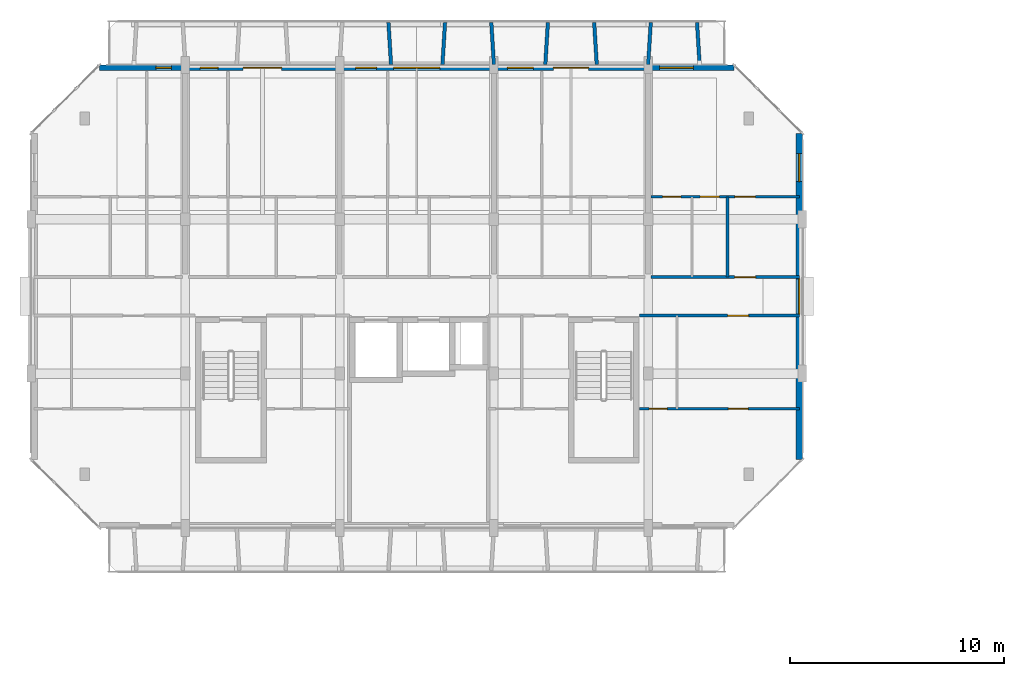
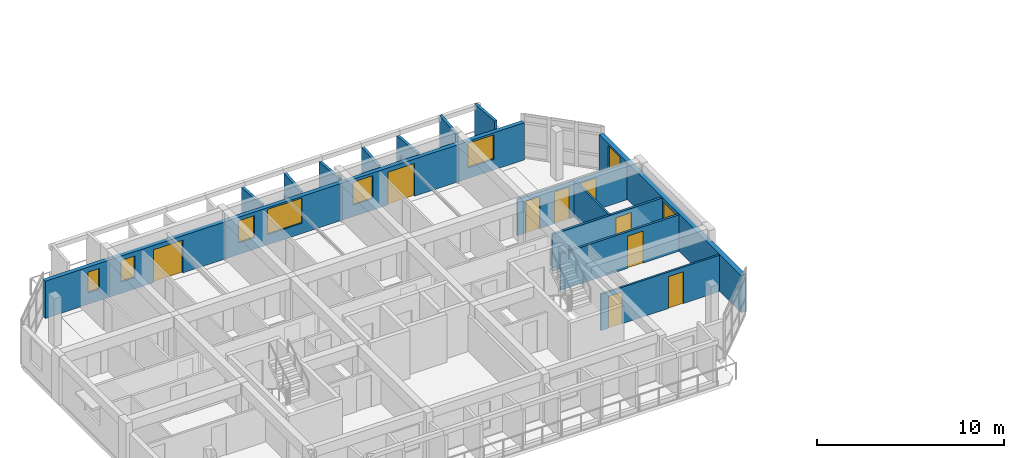
# One storey, part 21 of 44: 14 walls, 9 doors, 8 windows, 17 openings.
"""IFC4 building model written with IfcOpenShell, lengths in metres."""

from ifc_helpers import new_model, si_unit, direction, frame, frame_2d, origin, place, context, subcontext, project, spatial, rectangle, extrude, material, layer, layer_set, type_object, element, fill, save


model = new_model("IFC4")

# Units and contexts
model_context = context("Model", 3, precision=1e-05, world=origin(), true_north=direction((0.0, 1.0)))
body_context = subcontext(model_context, "Body", "Model", "MODEL_VIEW")
ifc_project = project(units=[si_unit("LENGTHUNIT", "METRE"), si_unit("AREAUNIT", "SQUARE_METRE"), si_unit("VOLUMEUNIT", "CUBIC_METRE"), si_unit("PLANEANGLEUNIT", "RADIAN"), si_unit("MASSUNIT", "GRAM", prefix="KILO")], contexts=[model_context])

# Site, building, storey
site_placement = place(None, origin())
site = spatial("IfcSite", under=ifc_project, at=site_placement, CompositionType="ELEMENT")
building_placement = place(site_placement, origin())
building = spatial("IfcBuilding", under=site, at=building_placement, Name="Ochrevale Crest", CompositionType="ELEMENT")
storey_placement = place(building_placement, frame((0.0, 0.0, 21.300048828125)))
storey = spatial("IfcBuildingStorey", under=building, at=storey_placement, Name="L06", CompositionType="ELEMENT", Elevation=21.300048828125)

# Wall, opening, door
ifc_material_1 = material(Name="Gypsum plasterboard", Category="gypsum")
ifc_layer_1 = layer(ifc_material_1, 0.139892578125)
ifc_layer_set_1 = layer_set([ifc_layer_1], Name="Gypsum plasterboard")
wall_type_1 = type_object("IfcWallType", Name="WL-COR-140", PredefinedType="PARTITIONING", material=ifc_layer_set_1)
wall_1_placement = place(storey_placement, frame((28.93994140625, 83.699951171875, 0.0), z_axis=(0.0, 0.0, 1.0), x_axis=(1.0, 0.0, 0.0)))
wall_1 = element("IfcWall", 1, at=wall_1_placement, inside=storey, type_object=wall_type_1, Name="Apartment B-L06-U5 corridor wall", PredefinedType="PARTITIONING", context=body_context, shape_type="SweptSolid", body=[
    extrude(rectangle(XDim=6.920166015625, YDim=0.139892578125, at=frame_2d((3.4599609375, 0.0))), origin(), (0.0, 0.0, 1.0), 2.3798828125),
])
opening_1_placement = place(wall_1_placement, frame((4.875, 0.0, 0.0), z_axis=(0.0, 0.0, 1.0), x_axis=(-1.0, 0.0, 0.0)))
opening_1 = element("IfcOpeningElement", 2, at=opening_1_placement, cuts=wall_1, Name="Opening FD01", PredefinedType="OPENING", context=body_context, shape_type="SweptSolid", body=[
    extrude(rectangle(XDim=0.97998046875, YDim=2.10009765625, at=frame_2d((0.489990234375, 1.050048828125))), frame((0.0, 0.080078125, 0.0), z_axis=(0.0, -1.0, 0.0), x_axis=(1.0, 0.0, 0.0)), (0.0, 0.0, 1.0), 0.159912109375),
])
ifc_material_2 = material(Name="Solid-core FSC hardwood", Category="wood")
door_type_1 = type_object("IfcDoorType", Name="DR-APT-950", OperationType="NOTDEFINED", PredefinedType="DOOR", material=ifc_material_2)
door_1_placement = place(opening_1_placement, origin())
door_1 = element("IfcDoor", 3, at=door_1_placement, inside=storey, type_object=door_type_1, Name="Apartment B-L06-U5 entrance door", OperationType="SINGLE_SWING_RIGHT", OverallHeight=2.10009765625, OverallWidth=0.97998046875, PredefinedType="DOOR", context=body_context, shape_type="SweptSolid", body=[
    extrude(rectangle(XDim=0.97998046875, YDim=2.10009765625, at=frame_2d((0.489990234375, 1.050048828125))), frame((0.0, 0.02490234375, 0.0), z_axis=(0.0, -1.0, 0.0), x_axis=(1.0, 0.0, 0.0)), (0.0, 0.0, 1.0), 0.050048828125),
])
fill(opening_1, door_1)

wall_2_placement = place(storey_placement, frame((28.389892578125, 81.89990234375, 0.0), z_axis=(0.0, 0.0, 1.0), x_axis=(1.0, 0.0, 0.0)))
wall_2 = element("IfcWall", 4, at=wall_2_placement, inside=storey, type_object=wall_type_1, Name="Suite B-L06-CE corridor wall", PredefinedType="PARTITIONING", context=body_context, shape_type="SweptSolid", body=[
    extrude(rectangle(XDim=7.47021484375, YDim=0.139892578125, at=frame_2d((3.735107421875, 0.0))), origin(), (0.0, 0.0, 1.0), 2.3798828125),
])
opening_2_placement = place(wall_2_placement, frame((4.1201171875, 0.0, 0.0)))
opening_2 = element("IfcOpeningElement", 5, at=opening_2_placement, cuts=wall_2, Name="Opening FD01", PredefinedType="OPENING", context=body_context, shape_type="SweptSolid", body=[
    extrude(rectangle(XDim=0.97998046875, YDim=2.10009765625, at=frame_2d((0.489990234375, 1.050048828125))), frame((0.0, 0.080078125, 0.0), z_axis=(0.0, -1.0, 0.0), x_axis=(1.0, 0.0, 0.0)), (0.0, 0.0, 1.0), 0.159912109375),
])
door_2_placement = place(opening_2_placement, origin())
door_2 = element("IfcDoor", 6, at=door_2_placement, inside=storey, type_object=door_type_1, Name="Suite B-L06-CE entrance door", OperationType="SINGLE_SWING_LEFT", OverallHeight=2.10009765625, OverallWidth=0.97998046875, PredefinedType="DOOR", context=body_context, shape_type="SweptSolid", body=[
    extrude(rectangle(XDim=0.97998046875, YDim=2.10009765625, at=frame_2d((0.489990234375, 1.050048828125))), frame((0.0, 0.02490234375, 0.0), z_axis=(0.0, -1.0, 0.0), x_axis=(1.0, 0.0, 0.0)), (0.0, 0.0, 1.0), 0.050048828125),
])
fill(opening_2, door_2)

# Wall, openings, windows
ifc_material_3 = material(Name="Clay face brickwork", Category="masonry")
ifc_layer_2 = layer(ifc_material_3, 0.2900390625)
ifc_layer_set_2 = layer_set([ifc_layer_2], Name="Clay face brickwork")
wall_type_2 = type_object("IfcWallType", Name="WL-EXT-BRICK-290", PredefinedType="SOLIDWALL", material=ifc_layer_set_2)
wall_3_placement = place(storey_placement, frame((35.85498046875, 75.199951171875, 0.0), z_axis=(0.0, 0.0, 1.0), x_axis=(0.0, 1.0, 0.0)))
wall_3 = element("IfcWall", 7, at=wall_3_placement, inside=storey, type_object=wall_type_2, Name="Block B L06 external facade wall E3", PredefinedType="SOLIDWALL", context=body_context, shape_type="SweptSolid", body=[
    extrude(rectangle(XDim=15.199951171875, YDim=0.2900390625, at=frame_2d((7.60009765625, 0.0))), origin(), (0.0, 0.0, 1.0), 2.429931640625),
])
opening_3_placement = place(wall_3_placement, frame((6.77490234375, 0.0, 1.050048828125)))
opening_3 = element("IfcOpeningElement", 8, at=opening_3_placement, cuts=wall_3, Name="Opening W19", PredefinedType="OPENING", context=body_context, shape_type="SweptSolid", body=[
    extrude(rectangle(XDim=1.64990234375, YDim=1.14990234375, at=frame_2d((0.824951171875, 0.574951171875))), frame((0.0, 0.155029296875, 0.0), z_axis=(0.0, -1.0, 0.0), x_axis=(1.0, 0.0, 0.0)), (0.0, 0.0, 1.0), 0.31005859375),
])
opening_4_placement = place(wall_3_placement, frame((12.9599609375, 0.0, 0.75)))
opening_4 = element("IfcOpeningElement", 9, at=opening_4_placement, cuts=wall_3, Name="Opening W30", PredefinedType="OPENING", context=body_context, shape_type="SweptSolid", body=[
    extrude(rectangle(XDim=1.300048828125, YDim=1.550048828125, at=frame_2d((0.64990234375, 0.77490234375))), frame((0.0, 0.155029296875, 0.0), z_axis=(0.0, -1.0, 0.0), x_axis=(1.0, 0.0, 0.0)), (0.0, 0.0, 1.0), 0.31005859375),
])
ifc_material_4 = material(Name="Anodised aluminium 6063-T5 and low-E double glazing", Category="aluminium")
window_type_1 = type_object("IfcWindowType", Name="WIN-W19", PartitioningType="SINGLE_PANEL", PredefinedType="WINDOW", material=ifc_material_4)
window_1_placement = place(opening_3_placement, origin())
window_1 = element("IfcWindow", 10, at=window_1_placement, inside=storey, type_object=window_type_1, Name="Block B L06 corridor end daylight window E", OverallHeight=1.14990234375, OverallWidth=1.64990234375, PartitioningType="SINGLE_PANEL", PredefinedType="WINDOW", context=body_context, shape_type="SweptSolid", body=[
    extrude(rectangle(XDim=1.64990234375, YDim=1.14990234375, at=frame_2d((0.824951171875, 0.574951171875))), frame((0.0, 0.030029296875, 0.0), z_axis=(0.0, -1.0, 0.0), x_axis=(1.0, 0.0, 0.0)), (0.0, 0.0, 1.0), 0.06005859375),
])
fill(opening_3, window_1)
window_type_2 = type_object("IfcWindowType", Name="WIN-W30", PartitioningType="SINGLE_PANEL", PredefinedType="WINDOW", material=ifc_material_4)
window_2_placement = place(opening_4_placement, origin())
window_2 = element("IfcWindow", 11, at=window_2_placement, inside=storey, type_object=window_type_2, Name="Block B L06 side suite window E", OverallHeight=1.550048828125, OverallWidth=1.300048828125, PartitioningType="SINGLE_PANEL", PredefinedType="WINDOW", context=body_context, shape_type="SweptSolid", body=[
    extrude(rectangle(XDim=1.300048828125, YDim=1.550048828125, at=frame_2d((0.64990234375, 0.77490234375))), frame((0.0, 0.030029296875, 0.0), z_axis=(0.0, -1.0, 0.0), x_axis=(1.0, 0.0, 0.0)), (0.0, 0.0, 1.0), 0.06005859375),
])
fill(opening_4, window_2)

# Wall, openings, doors, windows
ifc_material_5 = material(Name="Precast concrete C40/50", Category="concrete")
ifc_layer_3 = layer(ifc_material_5, 0.25)
ifc_layer_set_3 = layer_set([ifc_layer_3], Name="Precast concrete C40/50")
wall_type_3 = type_object("IfcWallType", Name="WL-EXT-GOLD-250", PredefinedType="SOLIDWALL", material=ifc_layer_set_3)
wall_4_placement = place(storey_placement, frame((32.800048828125, 93.47509765625, 0.0), z_axis=(0.0, 0.0, 1.0), x_axis=(-1.0, 0.0, 0.0)))
wall_4 = element("IfcWall", 12, at=wall_4_placement, inside=storey, type_object=wall_type_3, Name="Block B L06 external facade wall E5", PredefinedType="SOLIDWALL", context=body_context, shape_type="SweptSolid", body=[
    extrude(rectangle(XDim=29.60009765625, YDim=0.25, at=frame_2d((14.800048828125, 0.0))), origin(), (0.0, 0.0, 1.0), 2.429931640625),
])
opening_5_placement = place(wall_4_placement, frame((22.900146484375, 0.0, 0.0), z_axis=(0.0, 0.0, 1.0), x_axis=(-1.0, 0.0, 0.0)))
opening_5 = element("IfcOpeningElement", 13, at=opening_5_placement, cuts=wall_4, Name="Opening BD03", PredefinedType="OPENING", context=body_context, shape_type="SweptSolid", body=[
    extrude(rectangle(XDim=1.800048828125, YDim=2.14990234375, at=frame_2d((0.89990234375, 1.074951171875))), frame((0.0, 0.135009765625, 0.0), z_axis=(0.0, -1.0, 0.0), x_axis=(1.0, 0.0, 0.0)), (0.0, 0.0, 1.0), 0.27001953125),
])
opening_6_placement = place(wall_4_placement, frame((8.4248046875, 0.0, 0.0), z_axis=(0.0, 0.0, 1.0), x_axis=(-1.0, 0.0, 0.0)))
opening_6 = element("IfcOpeningElement", 14, at=opening_6_placement, cuts=wall_4, Name="Opening BD02", PredefinedType="OPENING", context=body_context, shape_type="SweptSolid", body=[
    extrude(rectangle(XDim=1.64990234375, YDim=2.14990234375, at=frame_2d((0.824951171875, 1.074951171875))), frame((0.0, 0.135009765625, 0.0), z_axis=(0.0, -1.0, 0.0), x_axis=(1.0, 0.0, 0.0)), (0.0, 0.0, 1.0), 0.27001953125),
])
opening_7_placement = place(wall_4_placement, frame((26.25, 0.0, 0.75)))
opening_7 = element("IfcOpeningElement", 15, at=opening_7_placement, cuts=wall_4, Name="Opening W02", PredefinedType="OPENING", context=body_context, shape_type="SweptSolid", body=[
    extrude(rectangle(XDim=0.719970703125, YDim=1.35009765625, at=frame_2d((0.35986328125, 0.675048828125))), frame((0.0, 0.135009765625, 0.0), z_axis=(0.0, -1.0, 0.0), x_axis=(1.0, 0.0, 0.0)), (0.0, 0.0, 1.0), 0.27001953125),
])
opening_8_placement = place(wall_4_placement, frame((24.06494140625, 0.0, 0.75)))
opening_8 = element("IfcOpeningElement", 16, at=opening_8_placement, cuts=wall_4, Name="Opening W03", PredefinedType="OPENING", context=body_context, shape_type="SweptSolid", body=[
    extrude(rectangle(XDim=0.85009765625, YDim=1.39990234375, at=frame_2d((0.425048828125, 0.699951171875))), frame((0.0, 0.135009765625, 0.0), z_axis=(0.0, -1.0, 0.0), x_axis=(1.0, 0.0, 0.0)), (0.0, 0.0, 1.0), 0.27001953125),
])
opening_9_placement = place(wall_4_placement, frame((16.675048828125, 0.0, 0.75)))
opening_9 = element("IfcOpeningElement", 17, at=opening_9_placement, cuts=wall_4, Name="Opening W04", PredefinedType="OPENING", context=body_context, shape_type="SweptSolid", body=[
    extrude(rectangle(XDim=0.97998046875, YDim=1.449951171875, at=frame_2d((0.489990234375, 0.72509765625))), frame((0.0, 0.135009765625, 0.0), z_axis=(0.0, -1.0, 0.0), x_axis=(1.0, 0.0, 0.0)), (0.0, 0.0, 1.0), 0.27001953125),
])
opening_10_placement = place(wall_4_placement, frame((13.72509765625, 0.0, 0.669921875)))
opening_10 = element("IfcOpeningElement", 18, at=opening_10_placement, cuts=wall_4, Name="Opening W13", PredefinedType="OPENING", context=body_context, shape_type="SweptSolid", body=[
    extrude(rectangle(XDim=2.14990234375, YDim=1.64990234375, at=frame_2d((1.074951171875, 0.824951171875))), frame((0.0, 0.135009765625, 0.0), z_axis=(0.0, -1.0, 0.0), x_axis=(1.0, 0.0, 0.0)), (0.0, 0.0, 1.0), 0.27001953125),
])
opening_11_placement = place(wall_4_placement, frame((9.35498046875, 0.0, 0.75)))
opening_11 = element("IfcOpeningElement", 19, at=opening_11_placement, cuts=wall_4, Name="Opening W06", PredefinedType="OPENING", context=body_context, shape_type="SweptSolid", body=[
    extrude(rectangle(XDim=1.219970703125, YDim=1.5, at=frame_2d((0.60986328125, 0.75))), frame((0.0, 0.135009765625, 0.0), z_axis=(0.0, -1.0, 0.0), x_axis=(1.0, 0.0, 0.0)), (0.0, 0.0, 1.0), 0.27001953125),
])
opening_12_placement = place(wall_4_placement, frame((1.889892578125, 0.0, 0.699951171875)))
opening_12 = element("IfcOpeningElement", 20, at=opening_12_placement, cuts=wall_4, Name="Opening W09", PredefinedType="OPENING", context=body_context, shape_type="SweptSolid", body=[
    extrude(rectangle(XDim=1.580078125, YDim=1.60009765625, at=frame_2d((0.7900390625, 0.800048828125))), frame((0.0, 0.135009765625, 0.0), z_axis=(0.0, -1.0, 0.0), x_axis=(1.0, 0.0, 0.0)), (0.0, 0.0, 1.0), 0.27001953125),
])
ifc_material_6 = material(Name="Anodised aluminium 6063-T5 and toughened glass", Category="aluminium")
door_type_2 = type_object("IfcDoorType", Name="DR-BAL-1650", OperationType="NOTDEFINED", PredefinedType="DOOR", material=ifc_material_6)
door_3_placement = place(opening_6_placement, origin())
door_3 = element("IfcDoor", 21, at=door_3_placement, inside=storey, type_object=door_type_2, Name="Block B L06 balcony door N4", OperationType="SINGLE_SWING_LEFT", OverallHeight=2.14990234375, OverallWidth=1.64990234375, PredefinedType="DOOR", context=body_context, shape_type="SweptSolid", body=[
    extrude(rectangle(XDim=1.64990234375, YDim=2.14990234375, at=frame_2d((0.824951171875, 1.074951171875))), frame((0.0, 0.02490234375, 0.0), z_axis=(0.0, -1.0, 0.0), x_axis=(1.0, 0.0, 0.0)), (0.0, 0.0, 1.0), 0.050048828125),
])
fill(opening_6, door_3)
door_type_3 = type_object("IfcDoorType", Name="DR-BAL-1800", OperationType="NOTDEFINED", PredefinedType="DOOR", material=ifc_material_6)
door_4_placement = place(opening_5_placement, origin())
door_4 = element("IfcDoor", 22, at=door_4_placement, inside=storey, type_object=door_type_3, Name="Block B L06 balcony door N2", OperationType="SINGLE_SWING_RIGHT", OverallHeight=2.14990234375, OverallWidth=1.800048828125, PredefinedType="DOOR", context=body_context, shape_type="SweptSolid", body=[
    extrude(rectangle(XDim=1.800048828125, YDim=2.14990234375, at=frame_2d((0.89990234375, 1.074951171875))), frame((0.0, 0.02490234375, 0.0), z_axis=(0.0, -1.0, 0.0), x_axis=(1.0, 0.0, 0.0)), (0.0, 0.0, 1.0), 0.050048828125),
])
fill(opening_5, door_4)
window_type_3 = type_object("IfcWindowType", Name="WIN-W02", PartitioningType="SINGLE_PANEL", PredefinedType="WINDOW", material=ifc_material_4)
window_3_placement = place(opening_7_placement, origin())
window_3 = element("IfcWindow", 23, at=window_3_placement, inside=storey, type_object=window_type_3, Name="Block B L06 Apartment B-L06-U1 Two Bedroom Living Room window", OverallHeight=1.35009765625, OverallWidth=0.719970703125, PartitioningType="SINGLE_PANEL", PredefinedType="WINDOW", context=body_context, shape_type="SweptSolid", body=[
    extrude(rectangle(XDim=0.719970703125, YDim=1.35009765625, at=frame_2d((0.35986328125, 0.675048828125))), frame((0.0, 0.030029296875, 0.0), z_axis=(0.0, -1.0, 0.0), x_axis=(1.0, 0.0, 0.0)), (0.0, 0.0, 1.0), 0.06005859375),
])
fill(opening_7, window_3)
window_type_4 = type_object("IfcWindowType", Name="WIN-W03", PartitioningType="SINGLE_PANEL", PredefinedType="WINDOW", material=ifc_material_4)
window_4_placement = place(opening_8_placement, origin())
window_4 = element("IfcWindow", 24, at=window_4_placement, inside=storey, type_object=window_type_4, Name="Block B L06 Apartment B-L06-U2 Master Bedroom window", OverallHeight=1.39990234375, OverallWidth=0.85009765625, PartitioningType="SINGLE_PANEL", PredefinedType="WINDOW", context=body_context, shape_type="SweptSolid", body=[
    extrude(rectangle(XDim=0.85009765625, YDim=1.39990234375, at=frame_2d((0.425048828125, 0.699951171875))), frame((0.0, 0.030029296875, 0.0), z_axis=(0.0, -1.0, 0.0), x_axis=(1.0, 0.0, 0.0)), (0.0, 0.0, 1.0), 0.06005859375),
])
fill(opening_8, window_4)
window_type_5 = type_object("IfcWindowType", Name="WIN-W04", PartitioningType="SINGLE_PANEL", PredefinedType="WINDOW", material=ifc_material_4)
window_5_placement = place(opening_9_placement, origin())
window_5 = element("IfcWindow", 25, at=window_5_placement, inside=storey, type_object=window_type_5, Name="Block B L06 Apartment B-L06-U3 Master Bedroom window", OverallHeight=1.449951171875, OverallWidth=0.97998046875, PartitioningType="SINGLE_PANEL", PredefinedType="WINDOW", context=body_context, shape_type="SweptSolid", body=[
    extrude(rectangle(XDim=0.97998046875, YDim=1.449951171875, at=frame_2d((0.489990234375, 0.72509765625))), frame((0.0, 0.030029296875, 0.0), z_axis=(0.0, -1.0, 0.0), x_axis=(1.0, 0.0, 0.0)), (0.0, 0.0, 1.0), 0.06005859375),
])
fill(opening_9, window_5)
window_type_6 = type_object("IfcWindowType", Name="WIN-W06", PartitioningType="SINGLE_PANEL", PredefinedType="WINDOW", material=ifc_material_4)
window_6_placement = place(opening_11_placement, origin())
window_6 = element("IfcWindow", 26, at=window_6_placement, inside=storey, type_object=window_type_6, Name="Block B L06 Apartment B-L06-U4 Twin Bedroom window", OverallHeight=1.5, OverallWidth=1.219970703125, PartitioningType="SINGLE_PANEL", PredefinedType="WINDOW", context=body_context, shape_type="SweptSolid", body=[
    extrude(rectangle(XDim=1.219970703125, YDim=1.5, at=frame_2d((0.60986328125, 0.75))), frame((0.0, 0.030029296875, 0.0), z_axis=(0.0, -1.0, 0.0), x_axis=(1.0, 0.0, 0.0)), (0.0, 0.0, 1.0), 0.06005859375),
])
fill(opening_11, window_6)
window_type_7 = type_object("IfcWindowType", Name="WIN-W09", PartitioningType="SINGLE_PANEL", PredefinedType="WINDOW", material=ifc_material_4)
window_7_placement = place(opening_12_placement, origin())
window_7 = element("IfcWindow", 27, at=window_7_placement, inside=storey, type_object=window_type_7, Name="Block B L06 Studio B-L06-U5 Living Room window", OverallHeight=1.60009765625, OverallWidth=1.580078125, PartitioningType="SINGLE_PANEL", PredefinedType="WINDOW", context=body_context, shape_type="SweptSolid", body=[
    extrude(rectangle(XDim=1.580078125, YDim=1.60009765625, at=frame_2d((0.7900390625, 0.800048828125))), frame((0.0, 0.030029296875, 0.0), z_axis=(0.0, -1.0, 0.0), x_axis=(1.0, 0.0, 0.0)), (0.0, 0.0, 1.0), 0.06005859375),
])
fill(opening_12, window_7)
window_type_8 = type_object("IfcWindowType", Name="WIN-W13", PartitioningType="SINGLE_PANEL", PredefinedType="WINDOW", material=ifc_material_4)
window_8_placement = place(opening_10_placement, origin())
window_8 = element("IfcWindow", 28, at=window_8_placement, inside=storey, type_object=window_type_8, Name="Block B L06 Apartment B-L06-U3 One Bedroom Living Room window", OverallHeight=1.64990234375, OverallWidth=2.14990234375, PartitioningType="SINGLE_PANEL", PredefinedType="WINDOW", context=body_context, shape_type="SweptSolid", body=[
    extrude(rectangle(XDim=2.14990234375, YDim=1.64990234375, at=frame_2d((1.074951171875, 0.824951171875))), frame((0.0, 0.030029296875, 0.0), z_axis=(0.0, -1.0, 0.0), x_axis=(1.0, 0.0, 0.0)), (0.0, 0.0, 1.0), 0.06005859375),
])
fill(opening_10, window_8)

# Walls
ifc_layer_4 = layer(ifc_material_5, 0.1650390625)
ifc_layer_set_4 = layer_set([ifc_layer_4], Name="Precast concrete C40/50")
wall_type_4 = type_object("IfcWallType", Name="WL-HC-CHEEK-165", PredefinedType="ELEMENTEDWALL", material=ifc_layer_set_4)
for number, where, z_axis, x_axis, name in (
    (29, (16.800048828125, 93.6201171875, 0.0), (0.0, 0.0, 1.0), (-0.061170732449, 0.998127317276, 0.0), "Block B L06 N precast honeycomb cheek 6"),
    (30, (19.199951171875, 93.6201171875, 0.0), (0.0, 0.0, 1.0), (0.061170732449, 0.998127317276, 0.0), "Block B L06 N precast honeycomb cheek 7"),
    (31, (21.60009765625, 93.6201171875, 0.0), (0.0, 0.0, 1.0), (-0.061170732449, 0.998127317276, 0.0), "Block B L06 N precast honeycomb cheek 8"),
):
    element("IfcWall", number, at=place(storey_placement, frame(where, z_axis=z_axis, x_axis=x_axis)), inside=storey, type_object=wall_type_4, Name=name, PredefinedType="ELEMENTEDWALL", context=body_context, shape_type="SweptSolid", body=[
        extrude(rectangle(XDim=1.963623046875, YDim=0.1650390625, at=frame_2d((0.98193359375, 0.0))), origin(), (0.0, 0.0, 1.0), 2.530029296875),
    ])
for number, where, z_axis, x_axis, name in (
    (32, (24.0, 93.6201171875, 0.0), (0.0, 0.0, 1.0), (0.061170732449, 0.998127317276, 0.0), "Block B L06 N precast honeycomb cheek 9"),
    (33, (26.39990234375, 93.6201171875, 0.0), (0.0, 0.0, 1.0), (-0.061046865508, 0.998134900808, 0.0), "Block B L06 N precast honeycomb cheek 10"),
):
    element("IfcWall", number, at=place(storey_placement, frame(where, z_axis=z_axis, x_axis=x_axis)), inside=storey, type_object=wall_type_4, Name=name, PredefinedType="ELEMENTEDWALL", context=body_context, shape_type="SweptSolid", body=[
        extrude(rectangle(XDim=1.963623046875, YDim=0.1650390625, at=frame_2d((0.98193359375, 0.0))), origin(), (0.0, 0.0, 1.0), 2.550048828125),
    ])
for number, where, z_axis, x_axis, name in (
    (34, (28.800048828125, 93.6201171875, 0.0), (0.0, 0.0, 1.0), (0.061046865508, 0.998134900808, 0.0), "Block B L06 N precast honeycomb cheek 11"),
    (35, (31.199951171875, 93.6201171875, 0.0), (0.0, 0.0, 1.0), (-0.061046865508, 0.998134900808, 0.0), "Block B L06 N precast honeycomb cheek 12"),
):
    element("IfcWall", number, at=place(storey_placement, frame(where, z_axis=z_axis, x_axis=x_axis)), inside=storey, type_object=wall_type_4, Name=name, PredefinedType="ELEMENTEDWALL", context=body_context, shape_type="SweptSolid", body=[
        extrude(rectangle(XDim=1.963623046875, YDim=0.1650390625, at=frame_2d((0.98193359375, 0.0))), origin(), (0.0, 0.0, 1.0), 2.949951171875),
    ])
ifc_layer_5 = layer(ifc_material_1, 0.1201171875)
ifc_layer_set_5 = layer_set([ifc_layer_5], Name="Gypsum plasterboard")
wall_type_5 = type_object("IfcWallType", Name="WL-PART-120", PredefinedType="PARTITIONING", material=ifc_layer_set_5)
wall_5_placement = place(storey_placement, frame((32.5, 83.699951171875, 0.0), z_axis=(0.0, 0.0, 1.0), x_axis=(0.0, 1.0, 0.0)))
element("IfcWall", 36, at=wall_5_placement, inside=storey, type_object=wall_type_5, Name="Apartment B-L06-U5 kitchen-foyer wall", PredefinedType="PARTITIONING", context=body_context, shape_type="SweptSolid", body=[
    extrude(rectangle(XDim=3.75, YDim=0.1201171875, at=frame_2d((1.875, 0.0))), origin(), (0.0, 0.0, 1.0), 2.3798828125),
])

# Wall, openings, doors
wall_6_placement = place(storey_placement, frame((28.93994140625, 87.449951171875, 0.0), z_axis=(0.0, 0.0, 1.0), x_axis=(1.0, 0.0, 0.0)))
wall_6 = element("IfcWall", 37, at=wall_6_placement, inside=storey, type_object=wall_type_5, Name="Apartment B-L06-U5 central partition", PredefinedType="PARTITIONING", context=body_context, shape_type="SweptSolid", body=[
    extrude(rectangle(XDim=6.920166015625, YDim=0.1201171875, at=frame_2d((3.4599609375, 0.0))), origin(), (0.0, 0.0, 1.0), 2.3798828125),
])
opening_13_placement = place(wall_6_placement, frame((0.530029296875, 0.0, 0.0)))
opening_13 = element("IfcOpeningElement", 38, at=opening_13_placement, cuts=wall_6, Name="Opening ID01", PredefinedType="OPENING", context=body_context, shape_type="SweptSolid", body=[
    extrude(rectangle(XDim=0.85009765625, YDim=2.080078125, at=frame_2d((0.425048828125, 1.0400390625))), frame((0.0, 0.070068359375, 0.0), z_axis=(0.0, -1.0, 0.0), x_axis=(1.0, 0.0, 0.0)), (0.0, 0.0, 1.0), 0.14013671875),
])
opening_14_placement = place(wall_6_placement, frame((3.184814453125, 0.0, 0.0), z_axis=(0.0, 0.0, 1.0), x_axis=(-1.0, 0.0, 0.0)))
opening_14 = element("IfcOpeningElement", 39, at=opening_14_placement, cuts=wall_6, Name="Opening ID02", PredefinedType="OPENING", context=body_context, shape_type="SweptSolid", body=[
    extrude(rectangle(XDim=0.89990234375, YDim=2.080078125, at=frame_2d((0.449951171875, 1.0400390625))), frame((0.0, 0.070068359375, 0.0), z_axis=(0.0, -1.0, 0.0), x_axis=(1.0, 0.0, 0.0)), (0.0, 0.0, 1.0), 0.14013671875),
])
opening_15_placement = place(wall_6_placement, frame((3.909912109375, 0.0, 0.0)))
opening_15 = element("IfcOpeningElement", 40, at=opening_15_placement, cuts=wall_6, Name="Opening ID06", PredefinedType="OPENING", context=body_context, shape_type="SweptSolid", body=[
    extrude(rectangle(XDim=0.949951171875, YDim=2.080078125, at=frame_2d((0.47509765625, 1.0400390625))), frame((0.0, 0.070068359375, 0.0), z_axis=(0.0, -1.0, 0.0), x_axis=(1.0, 0.0, 0.0)), (0.0, 0.0, 1.0), 0.14013671875),
])
door_type_4 = type_object("IfcDoorType", Name="DR-INT-900", OperationType="NOTDEFINED", PredefinedType="DOOR", material=ifc_material_2)
door_5_placement = place(opening_14_placement, origin())
door_5 = element("IfcDoor", 41, at=door_5_placement, inside=storey, type_object=door_type_4, Name="Apartment B-L06-U5 Kitchen door", OperationType="SINGLE_SWING_RIGHT", OverallHeight=2.080078125, OverallWidth=0.89990234375, PredefinedType="DOOR", context=body_context, shape_type="SweptSolid", body=[
    extrude(rectangle(XDim=0.89990234375, YDim=2.080078125, at=frame_2d((0.449951171875, 1.0400390625))), frame((0.0, 0.02490234375, 0.0), z_axis=(0.0, -1.0, 0.0), x_axis=(1.0, 0.0, 0.0)), (0.0, 0.0, 1.0), 0.050048828125),
])
fill(opening_14, door_5)
door_type_5 = type_object("IfcDoorType", Name="DR-INT-950", OperationType="NOTDEFINED", PredefinedType="DOOR", material=ifc_material_2)
door_6_placement = place(opening_15_placement, origin())
door_6 = element("IfcDoor", 42, at=door_6_placement, inside=storey, type_object=door_type_5, Name="Apartment B-L06-U5 Living Foyer door", OperationType="SINGLE_SWING_LEFT", OverallHeight=2.080078125, OverallWidth=0.949951171875, PredefinedType="DOOR", context=body_context, shape_type="SweptSolid", body=[
    extrude(rectangle(XDim=0.949951171875, YDim=2.080078125, at=frame_2d((0.47509765625, 1.0400390625))), frame((0.0, 0.02490234375, 0.0), z_axis=(0.0, -1.0, 0.0), x_axis=(1.0, 0.0, 0.0)), (0.0, 0.0, 1.0), 0.050048828125),
])
fill(opening_15, door_6)
door_type_6 = type_object("IfcDoorType", Name="DR-WC-850", OperationType="NOTDEFINED", PredefinedType="DOOR", material=ifc_material_2)
door_7_placement = place(opening_13_placement, origin())
door_7 = element("IfcDoor", 43, at=door_7_placement, inside=storey, type_object=door_type_6, Name="Apartment B-L06-U5 Bathroom door", OperationType="SINGLE_SWING_LEFT", OverallHeight=2.080078125, OverallWidth=0.85009765625, PredefinedType="DOOR", context=body_context, shape_type="SweptSolid", body=[
    extrude(rectangle(XDim=0.85009765625, YDim=2.080078125, at=frame_2d((0.425048828125, 1.0400390625))), frame((0.0, 0.02490234375, 0.0), z_axis=(0.0, -1.0, 0.0), x_axis=(1.0, 0.0, 0.0)), (0.0, 0.0, 1.0), 0.050048828125),
])
fill(opening_13, door_7)

wall_7_placement = place(storey_placement, frame((28.389892578125, 77.550048828125, 0.0), z_axis=(0.0, 0.0, 1.0), x_axis=(1.0, 0.0, 0.0)))
wall_7 = element("IfcWall", 44, at=wall_7_placement, inside=storey, type_object=wall_type_5, Name="Suite B-L06-CE internal wall", PredefinedType="PARTITIONING", context=body_context, shape_type="SweptSolid", body=[
    extrude(rectangle(XDim=7.47021484375, YDim=0.1201171875, at=frame_2d((3.735107421875, 0.0))), origin(), (0.0, 0.0, 1.0), 2.3798828125),
])
opening_16_placement = place(wall_7_placement, frame((1.300048828125, 0.0, 0.0), z_axis=(0.0, 0.0, 1.0), x_axis=(-1.0, 0.0, 0.0)))
opening_16 = element("IfcOpeningElement", 45, at=opening_16_placement, cuts=wall_7, Name="Opening ID01", PredefinedType="OPENING", context=body_context, shape_type="SweptSolid", body=[
    extrude(rectangle(XDim=0.85009765625, YDim=2.080078125, at=frame_2d((0.425048828125, 1.0400390625))), frame((0.0, 0.070068359375, 0.0), z_axis=(0.0, -1.0, 0.0), x_axis=(1.0, 0.0, 0.0)), (0.0, 0.0, 1.0), 0.14013671875),
])
opening_17_placement = place(wall_7_placement, frame((4.14990234375, 0.0, 0.0)))
opening_17 = element("IfcOpeningElement", 46, at=opening_17_placement, cuts=wall_7, Name="Opening ID04", PredefinedType="OPENING", context=body_context, shape_type="SweptSolid", body=[
    extrude(rectangle(XDim=0.919921875, YDim=2.080078125, at=frame_2d((0.4599609375, 1.0400390625))), frame((0.0, 0.070068359375, 0.0), z_axis=(0.0, -1.0, 0.0), x_axis=(1.0, 0.0, 0.0)), (0.0, 0.0, 1.0), 0.14013671875),
])
door_type_7 = type_object("IfcDoorType", Name="DR-INT-920", OperationType="NOTDEFINED", PredefinedType="DOOR", material=ifc_material_2)
door_8_placement = place(opening_17_placement, origin())
door_8 = element("IfcDoor", 47, at=door_8_placement, inside=storey, type_object=door_type_7, Name="Suite B-L06-CE Master Bedroom door", OperationType="SINGLE_SWING_LEFT", OverallHeight=2.080078125, OverallWidth=0.919921875, PredefinedType="DOOR", context=body_context, shape_type="SweptSolid", body=[
    extrude(rectangle(XDim=0.919921875, YDim=2.080078125, at=frame_2d((0.4599609375, 1.0400390625))), frame((0.0, 0.02490234375, 0.0), z_axis=(0.0, -1.0, 0.0), x_axis=(1.0, 0.0, 0.0)), (0.0, 0.0, 1.0), 0.050048828125),
])
fill(opening_17, door_8)
door_9_placement = place(opening_16_placement, origin())
door_9 = element("IfcDoor", 48, at=door_9_placement, inside=storey, type_object=door_type_6, Name="Suite B-L06-CE Bathroom door", OperationType="SINGLE_SWING_RIGHT", OverallHeight=2.080078125, OverallWidth=0.85009765625, PredefinedType="DOOR", context=body_context, shape_type="SweptSolid", body=[
    extrude(rectangle(XDim=0.85009765625, YDim=2.080078125, at=frame_2d((0.425048828125, 1.0400390625))), frame((0.0, 0.02490234375, 0.0), z_axis=(0.0, -1.0, 0.0), x_axis=(1.0, 0.0, 0.0)), (0.0, 0.0, 1.0), 0.050048828125),
])
fill(opening_16, door_9)

save(model, "model.ifc")
